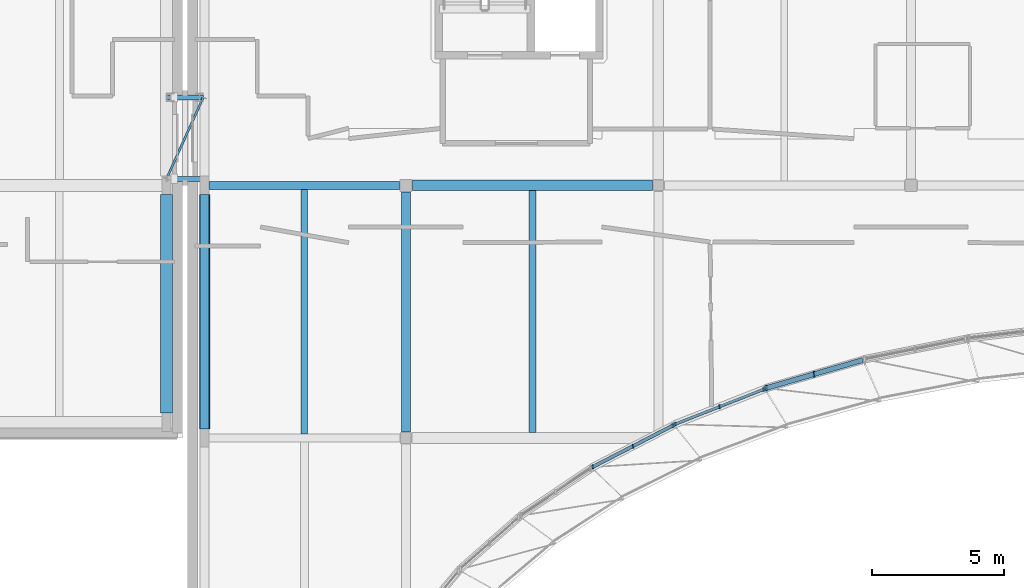
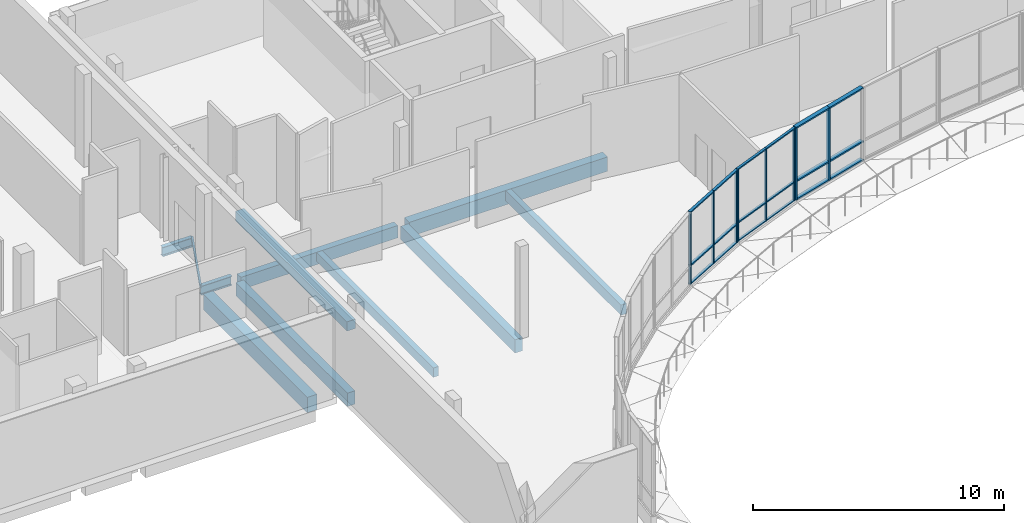
# One storey, part 10 of 41: 27 members, 10 beams, 3 elements without a shape of their own.
"""IFC4 building model written with IfcOpenShell, lengths in metres."""

from ifc_helpers import new_model, si_unit, direction, frame, origin, origin_2d, place, context, subcontext, project, spatial, rectangle, hollow_rectangle, i_section, extrude, material, material_profile, profile_set, type_object, element, aggregate, save


model = new_model("IFC4")

# Units and contexts
model_context = context("Model", 3, precision=1e-05, world=origin(), true_north=direction((0.0, 1.0)))
body_context = subcontext(model_context, "Body", "Model", "MODEL_VIEW")
ifc_project = project(units=[si_unit("LENGTHUNIT", "METRE"), si_unit("AREAUNIT", "SQUARE_METRE"), si_unit("VOLUMEUNIT", "CUBIC_METRE"), si_unit("PLANEANGLEUNIT", "RADIAN"), si_unit("MASSUNIT", "GRAM", prefix="KILO")], contexts=[model_context])

# Site, building, storey
site_placement = place(None, origin())
site = spatial("IfcSite", under=ifc_project, at=site_placement, CompositionType="ELEMENT")
building_placement = place(site_placement, origin())
building = spatial("IfcBuilding", under=site, at=building_placement, Name="Mzevani Central Library", CompositionType="ELEMENT")
storey_placement = place(building_placement, frame((0.0, 0.0, 13.800048828125)))
storey = spatial("IfcBuildingStorey", under=building, at=storey_placement, Name="L03", CompositionType="ELEMENT", Elevation=13.800048828125)

# Beams
ifc_material_1 = material(Name="Concrete C35/45", Category="concrete")
ifc_material_profile_1 = material_profile(ifc_material_1, rectangle(XDim=0.300048828125, YDim=0.60009765625, at=origin_2d()), Name="RC B300x600")
ifc_profile_set_1 = profile_set([ifc_material_profile_1], Name="Concrete C35/45")
beam_type_1 = type_object("IfcBeamType", Name="Beam RC 300x600", PredefinedType="BEAM", material=ifc_profile_set_1)
beam_1_placement = place(storey_placement, frame((46.925048828125, 100.0, -0.580078125), z_axis=(1.0, 0.0, 0.0), x_axis=(0.0, 1.0, 0.0)))
element("IfcBeam", 1, at=beam_1_placement, inside=storey, type_object=beam_type_1, Name="L03 V3 Girder B-03 (638)", PredefinedType="BEAM", context=body_context, shape_type="SweptSolid", body=[
    extrude(rectangle(XDim=0.300048828125, YDim=0.60009765625, at=origin_2d()), origin(), (0.0, 0.0, 1.0), 7.224853515625),
])
ifc_material_profile_2 = material_profile(ifc_material_1, rectangle(XDim=0.35009765625, YDim=0.64990234375, at=origin_2d()), Name="RC B350x650")
ifc_profile_set_2 = profile_set([ifc_material_profile_2], Name="Concrete C35/45")
beam_type_2 = type_object("IfcBeamType", Name="Beam RC 350x650", PredefinedType="BEAM", material=ifc_profile_set_2)
beam_2_placement = place(storey_placement, frame((46.75, 90.75, -0.60498046875), z_axis=(0.0, 1.0, 0.0), x_axis=(-1.0, 0.0, 0.0)))
element("IfcBeam", 2, at=beam_2_placement, inside=storey, type_object=beam_type_2, Name="L03 V3 Frame Beam B-05 (664)", PredefinedType="BEAM", context=body_context, shape_type="SweptSolid", body=[
    extrude(rectangle(XDim=0.35009765625, YDim=0.64990234375, at=origin_2d()), origin(), (0.0, 0.0, 1.0), 8.89990234375),
])
beam_3_placement = place(storey_placement, frame((54.39990234375, 90.625, -0.60498046875), z_axis=(0.0, 1.0, 0.0), x_axis=(-1.0, 0.0, 0.0)))
element("IfcBeam", 3, at=beam_3_placement, inside=storey, type_object=beam_type_2, Name="L03 V3 Frame Beam B-05 (668)", PredefinedType="BEAM", context=body_context, shape_type="SweptSolid", body=[
    extrude(rectangle(XDim=0.35009765625, YDim=0.64990234375, at=origin_2d()), origin(), (0.0, 0.0, 1.0), 9.125),
])
ifc_material_profile_3 = material_profile(ifc_material_1, rectangle(XDim=0.39990234375, YDim=0.699951171875, at=origin_2d()), Name="RC B400x700")
ifc_profile_set_3 = profile_set([ifc_material_profile_3], Name="Concrete C35/45")
beam_type_3 = type_object("IfcBeamType", Name="Beam RC 400x700", PredefinedType="BEAM", material=ifc_profile_set_3)
beam_4_placement = place(storey_placement, frame((54.64990234375, 100.0, -0.630126953125), z_axis=(1.0, 0.0, 0.0), x_axis=(0.0, 1.0, 0.0)))
element("IfcBeam", 4, at=beam_4_placement, inside=storey, type_object=beam_type_3, Name="L03 V3 Girder B-08 (639)", PredefinedType="BEAM", context=body_context, shape_type="SweptSolid", body=[
    extrude(rectangle(XDim=0.39990234375, YDim=0.699951171875, at=origin_2d()), origin(), (0.0, 0.0, 1.0), 9.125),
])
ifc_material_2 = material(Name="Steel S355J2", Category="steel")
ifc_material_profile_4 = material_profile(ifc_material_2, i_section(OverallWidth=0.18994140625, OverallDepth=0.449951171875, WebThickness=0.009521484375, FlangeThickness=0.0146484375, FilletRadius=0.02099609375, at=origin_2d()), Name="IPE 450")
ifc_profile_set_4 = profile_set([ifc_material_profile_4], Name="Steel S355J2")
beam_type_4 = type_object("IfcBeamType", Name="Bridge Primary Girder IPE 450", PredefinedType="BEAM", material=ifc_profile_set_4)
for number, where, z_axis, x_axis, name in (
    (5, (45.300048828125, 100.25, -0.550048828125), (1.0, 0.0, 0.0), (0.0, 1.0, 0.0), "L03 Stacks-Court Seismic Passage L03 Girder 1"),
    (6, (45.300048828125, 103.35009765625, -0.550048828125), (1.0, 0.0, 0.0), (0.0, 1.0, 0.0), "L03 Stacks-Court Seismic Passage L03 Girder 2"),
):
    element("IfcBeam", number, at=place(storey_placement, frame(where, z_axis=z_axis, x_axis=x_axis)), inside=storey, type_object=beam_type_4, Name=name, PredefinedType="BEAM", context=body_context, shape_type="SweptSolid", body=[
        extrude(i_section(OverallWidth=0.18994140625, OverallDepth=0.449951171875, WebThickness=0.009521484375, FlangeThickness=0.0146484375, FilletRadius=0.02099609375, at=origin_2d()), origin(), (0.0, 0.0, 1.0), 1.39990234375),
    ])

# Member
ifc_material_profile_5 = material_profile(ifc_material_2, hollow_rectangle(XDim=0.080078125, YDim=0.159912109375, WallThickness=0.008056640625, at=origin_2d()), Name="RHS 160x80x8.0")
ifc_profile_set_5 = profile_set([ifc_material_profile_5], Name="Steel S355J2")
member_type_1 = type_object("IfcMemberType", Name="Bridge Truss Chord RHS 160x80", PredefinedType="CHORD", material=ifc_profile_set_5)
member_1_placement = place(storey_placement, frame((45.300048828125, 100.25, -0.380126953125), z_axis=(0.411552106839, 0.911386231713, 0.0), x_axis=(-0.911386231713, 0.411552106839, 0.0)))
element("IfcMember", 7, at=member_1_placement, inside=storey, type_object=member_type_1, Name="L03 Stacks-Court Seismic Passage L03 Diaphragm Chord", PredefinedType="CHORD", context=body_context, shape_type="SweptSolid", body=[
    extrude(hollow_rectangle(XDim=0.080078125, YDim=0.159912109375, WallThickness=0.008056640625, at=origin_2d()), origin(), (0.0, 0.0, 1.0), 3.401611328125),
])

# Curtain wall, members
ifc_material_3 = material(Name="Thermally broken aluminium and Low-E triple glazing", Category="aluminium")
curtain_wall_type_1 = type_object("IfcCurtainWallType", Name="Elliptical Court Unitised Curtain Wall", PredefinedType="NOTDEFINED", material=ifc_material_3)
curtain_wall_1_placement = place(storey_placement, origin())
curtain_wall_1 = element("IfcCurtainWall", 8, at=curtain_wall_1_placement, inside=storey, type_object=curtain_wall_type_1, Name="L03 Elliptical Court Curtain Wall 17", PredefinedType="NOTDEFINED")
ifc_material_4 = material(Name="Thermally broken aluminium AW-6060", Category="aluminium")
ifc_material_profile_6 = material_profile(ifc_material_4, rectangle(XDim=0.06005859375, YDim=0.139892578125, at=origin_2d()), Name="ALU M60x140")
ifc_profile_set_6 = profile_set([ifc_material_profile_6], Name="Thermally broken aluminium AW-6060")
member_type_2 = type_object("IfcMemberType", Name="CW Mullion 60x140", PredefinedType="MULLION", material=ifc_profile_set_6)
member_2_placement = place(storey_placement, frame((67.988525390625, 92.245849609375, 0.719970703125), z_axis=(0.0, 0.0, 1.0), x_axis=(1.0, 0.0, 0.0)))
member_2 = element("IfcMember", 9, at=member_2_placement, type_object=member_type_2, Name="L03 Elliptical Court Curtain Wall 17 Mullion 1", PredefinedType="MULLION", context=body_context, shape_type="SweptSolid", body=[
    extrude(rectangle(XDim=0.06005859375, YDim=0.139892578125, at=origin_2d()), origin(), (0.0, 0.0, 1.0), 3.5),
])
member_3_placement = place(storey_placement, frame((66.316650390625, 91.587890625, 0.719970703125), z_axis=(0.0, 0.0, 1.0), x_axis=(1.0, 0.0, 0.0)))
member_3 = element("IfcMember", 10, at=member_3_placement, type_object=member_type_2, Name="L03 Elliptical Court Curtain Wall 17 Mullion 2", PredefinedType="MULLION", context=body_context, shape_type="SweptSolid", body=[
    extrude(rectangle(XDim=0.06005859375, YDim=0.139892578125, at=origin_2d()), origin(), (0.0, 0.0, 1.0), 3.5),
])
member_4_placement = place(storey_placement, frame((64.64453125, 90.929931640625, 0.719970703125), z_axis=(0.0, 0.0, 1.0), x_axis=(1.0, 0.0, 0.0)))
member_4 = element("IfcMember", 11, at=member_4_placement, type_object=member_type_2, Name="L03 Elliptical Court Curtain Wall 17 Mullion 3", PredefinedType="MULLION", context=body_context, shape_type="SweptSolid", body=[
    extrude(rectangle(XDim=0.06005859375, YDim=0.139892578125, at=origin_2d()), origin(), (0.0, 0.0, 1.0), 3.5),
])

curtain_wall_2_placement = place(storey_placement, origin())
curtain_wall_2 = element("IfcCurtainWall", 12, at=curtain_wall_2_placement, inside=storey, type_object=curtain_wall_type_1, Name="L03 Elliptical Court Curtain Wall 18", PredefinedType="NOTDEFINED")
ifc_material_profile_7 = material_profile(ifc_material_4, rectangle(XDim=0.06005859375, YDim=0.159912109375, at=origin_2d()), Name="ALU M60x160")
ifc_profile_set_7 = profile_set([ifc_material_profile_7], Name="Thermally broken aluminium AW-6060")
member_type_3 = type_object("IfcMemberType", Name="CW Mullion 60x160", PredefinedType="MULLION", material=ifc_profile_set_7)
member_5_placement = place(storey_placement, frame((64.5361328125, 90.865966796875, 0.719970703125), z_axis=(0.0, 0.0, 1.0), x_axis=(1.0, 0.0, 0.0)))
member_5 = element("IfcMember", 13, at=member_5_placement, type_object=member_type_3, Name="L03 Elliptical Court Curtain Wall 18 Mullion 1", PredefinedType="MULLION", context=body_context, shape_type="SweptSolid", body=[
    extrude(rectangle(XDim=0.06005859375, YDim=0.159912109375, at=origin_2d()), origin(), (0.0, 0.0, 1.0), 3.5),
])
member_6_placement = place(storey_placement, frame((63.026611328125, 90.086181640625, 0.719970703125), z_axis=(0.0, 0.0, 1.0), x_axis=(1.0, 0.0, 0.0)))
member_6 = element("IfcMember", 14, at=member_6_placement, type_object=member_type_3, Name="L03 Elliptical Court Curtain Wall 18 Mullion 2", PredefinedType="MULLION", context=body_context, shape_type="SweptSolid", body=[
    extrude(rectangle(XDim=0.06005859375, YDim=0.159912109375, at=origin_2d()), origin(), (0.0, 0.0, 1.0), 3.5),
])
member_7_placement = place(storey_placement, frame((61.517333984375, 89.306396484375, 0.719970703125), z_axis=(0.0, 0.0, 1.0), x_axis=(1.0, 0.0, 0.0)))
member_7 = element("IfcMember", 15, at=member_7_placement, type_object=member_type_3, Name="L03 Elliptical Court Curtain Wall 18 Mullion 3", PredefinedType="MULLION", context=body_context, shape_type="SweptSolid", body=[
    extrude(rectangle(XDim=0.06005859375, YDim=0.159912109375, at=origin_2d()), origin(), (0.0, 0.0, 1.0), 3.5),
])

curtain_wall_type_2 = type_object("IfcCurtainWallType", Name="Reading Hall Northlight Curtain Wall", PredefinedType="NOTDEFINED", material=ifc_material_3)
curtain_wall_3_placement = place(storey_placement, origin())
curtain_wall_3 = element("IfcCurtainWall", 16, at=curtain_wall_3_placement, inside=storey, type_object=curtain_wall_type_2, Name="L03 Elliptical Court Curtain Wall 16", PredefinedType="NOTDEFINED")
ifc_material_profile_8 = material_profile(ifc_material_4, rectangle(XDim=0.070068359375, YDim=0.219970703125, at=origin_2d()), Name="ALU M70x220")
ifc_profile_set_8 = profile_set([ifc_material_profile_8], Name="Thermally broken aluminium AW-6060")
member_type_4 = type_object("IfcMemberType", Name="CW Mullion 70x220", PredefinedType="MULLION", material=ifc_profile_set_8)
member_8_placement = place(storey_placement, frame((69.912353515625, 92.82568359375, 0.719970703125), z_axis=(0.0, 0.0, 1.0), x_axis=(1.0, 0.0, 0.0)))
member_8 = element("IfcMember", 17, at=member_8_placement, type_object=member_type_4, Name="L03 Elliptical Court Curtain Wall 16 Mullion 2", PredefinedType="MULLION", context=body_context, shape_type="SweptSolid", body=[
    extrude(rectangle(XDim=0.070068359375, YDim=0.219970703125, at=origin_2d()), origin(), (0.0, 0.0, 1.0), 3.5),
])
member_9_placement = place(storey_placement, frame((68.10693359375, 92.30126953125, 0.719970703125), z_axis=(0.0, 0.0, 1.0), x_axis=(1.0, 0.0, 0.0)))
member_9 = element("IfcMember", 18, at=member_9_placement, type_object=member_type_4, Name="L03 Elliptical Court Curtain Wall 16 Mullion 3", PredefinedType="MULLION", context=body_context, shape_type="SweptSolid", body=[
    extrude(rectangle(XDim=0.070068359375, YDim=0.219970703125, at=origin_2d()), origin(), (0.0, 0.0, 1.0), 3.5),
])

# Member
ifc_material_profile_9 = material_profile(ifc_material_4, rectangle(XDim=0.110107421875, YDim=0.06005859375, at=origin_2d()), Name="ALU T60x110")
ifc_profile_set_9 = profile_set([ifc_material_profile_9], Name="Thermally broken aluminium AW-6060")
member_type_5 = type_object("IfcMemberType", Name="CW Transom 60x110", PredefinedType="USERDEFINED", material=ifc_profile_set_9)
member_10_placement = place(storey_placement, frame((68.034912109375, 92.26416015625, 0.719970703125), z_axis=(-0.930523114964, -0.366233166873, 0.0), x_axis=(0.366233166873, -0.930523114964, 0.0)))
member_10 = element("IfcMember", 19, at=member_10_placement, type_object=member_type_5, Name="L03 Elliptical Court Curtain Wall 17 Transom 1", ObjectType="TRANSOM", PredefinedType="USERDEFINED", context=body_context, shape_type="SweptSolid", body=[
    extrude(rectangle(XDim=0.110107421875, YDim=0.06005859375, at=origin_2d()), origin(), (0.0, 0.0, 1.0), 1.846435546875),
])

member_11_placement = place(storey_placement, frame((68.034912109375, 92.26416015625, 1.619873046875), z_axis=(-0.930523114964, -0.366233166873, 0.0), x_axis=(0.366233166873, -0.930523114964, 0.0)))
member_11 = element("IfcMember", 20, at=member_11_placement, type_object=member_type_5, Name="L03 Elliptical Court Curtain Wall 17 Transom 2", ObjectType="TRANSOM", PredefinedType="USERDEFINED", context=body_context, shape_type="SweptSolid", body=[
    extrude(rectangle(XDim=0.110107421875, YDim=0.06005859375, at=origin_2d()), origin(), (0.0, 0.0, 1.0), 1.846435546875),
])

member_12_placement = place(storey_placement, frame((68.034912109375, 92.26416015625, 4.219970703125), z_axis=(-0.930523114964, -0.366233166873, 0.0), x_axis=(0.366233166873, -0.930523114964, 0.0)))
member_12 = element("IfcMember", 21, at=member_12_placement, type_object=member_type_5, Name="L03 Elliptical Court Curtain Wall 17 Transom 3", ObjectType="TRANSOM", PredefinedType="USERDEFINED", context=body_context, shape_type="SweptSolid", body=[
    extrude(rectangle(XDim=0.110107421875, YDim=0.06005859375, at=origin_2d()), origin(), (0.0, 0.0, 1.0), 1.846435546875),
])

member_13_placement = place(storey_placement, frame((66.316650390625, 91.587890625, 0.719970703125), z_axis=(-0.930540845143, -0.366188114937, 0.0), x_axis=(0.366188114937, -0.930540845143, 0.0)))
member_13 = element("IfcMember", 22, at=member_13_placement, type_object=member_type_5, Name="L03 Elliptical Court Curtain Wall 17 Transom 4", ObjectType="TRANSOM", PredefinedType="USERDEFINED", context=body_context, shape_type="SweptSolid", body=[
    extrude(rectangle(XDim=0.110107421875, YDim=0.06005859375, at=origin_2d()), origin(), (0.0, 0.0, 1.0), 1.8466796875),
])

member_14_placement = place(storey_placement, frame((66.316650390625, 91.587890625, 1.619873046875), z_axis=(-0.930540845143, -0.366188114937, 0.0), x_axis=(0.366188114937, -0.930540845143, 0.0)))
member_14 = element("IfcMember", 23, at=member_14_placement, type_object=member_type_5, Name="L03 Elliptical Court Curtain Wall 17 Transom 5", ObjectType="TRANSOM", PredefinedType="USERDEFINED", context=body_context, shape_type="SweptSolid", body=[
    extrude(rectangle(XDim=0.110107421875, YDim=0.06005859375, at=origin_2d()), origin(), (0.0, 0.0, 1.0), 1.8466796875),
])

member_15_placement = place(storey_placement, frame((66.316650390625, 91.587890625, 4.219970703125), z_axis=(-0.930540845143, -0.366188114937, 0.0), x_axis=(0.366188114937, -0.930540845143, 0.0)))
member_15 = element("IfcMember", 24, at=member_15_placement, type_object=member_type_5, Name="L03 Elliptical Court Curtain Wall 17 Transom 6", ObjectType="TRANSOM", PredefinedType="USERDEFINED", context=body_context, shape_type="SweptSolid", body=[
    extrude(rectangle(XDim=0.110107421875, YDim=0.06005859375, at=origin_2d()), origin(), (0.0, 0.0, 1.0), 1.8466796875),
])

aggregate(curtain_wall_1, [member_2, member_3, member_4, member_10, member_11, member_12, member_13, member_14, member_15])

ifc_material_profile_10 = material_profile(ifc_material_4, rectangle(XDim=0.1298828125, YDim=0.06005859375, at=origin_2d()), Name="ALU T60x130")
ifc_profile_set_10 = profile_set([ifc_material_profile_10], Name="Thermally broken aluminium AW-6060")
member_type_6 = type_object("IfcMemberType", Name="CW Transom 60x130", PredefinedType="USERDEFINED", material=ifc_profile_set_10)
member_16_placement = place(storey_placement, frame((64.58056640625, 90.888916015625, 0.719970703125), z_axis=(-0.888459109932, -0.458955782161, 0.0), x_axis=(0.458955782161, -0.888459109932, 0.0)))
member_16 = element("IfcMember", 25, at=member_16_placement, type_object=member_type_6, Name="L03 Elliptical Court Curtain Wall 18 Transom 1", ObjectType="TRANSOM", PredefinedType="USERDEFINED", context=body_context, shape_type="SweptSolid", body=[
    extrude(rectangle(XDim=0.1298828125, YDim=0.06005859375, at=origin_2d()), origin(), (0.0, 0.0, 1.0), 1.7490234375),
])

member_17_placement = place(storey_placement, frame((64.58056640625, 90.888916015625, 1.619873046875), z_axis=(-0.888459109932, -0.458955782161, 0.0), x_axis=(0.458955782161, -0.888459109932, 0.0)))
member_17 = element("IfcMember", 26, at=member_17_placement, type_object=member_type_6, Name="L03 Elliptical Court Curtain Wall 18 Transom 2", ObjectType="TRANSOM", PredefinedType="USERDEFINED", context=body_context, shape_type="SweptSolid", body=[
    extrude(rectangle(XDim=0.1298828125, YDim=0.06005859375, at=origin_2d()), origin(), (0.0, 0.0, 1.0), 1.7490234375),
])

member_18_placement = place(storey_placement, frame((64.58056640625, 90.888916015625, 4.219970703125), z_axis=(-0.888459109932, -0.458955782161, 0.0), x_axis=(0.458955782161, -0.888459109932, 0.0)))
member_18 = element("IfcMember", 27, at=member_18_placement, type_object=member_type_6, Name="L03 Elliptical Court Curtain Wall 18 Transom 3", ObjectType="TRANSOM", PredefinedType="USERDEFINED", context=body_context, shape_type="SweptSolid", body=[
    extrude(rectangle(XDim=0.1298828125, YDim=0.06005859375, at=origin_2d()), origin(), (0.0, 0.0, 1.0), 1.7490234375),
])

member_19_placement = place(storey_placement, frame((63.026611328125, 90.086181640625, 0.719970703125), z_axis=(-0.8884297022, -0.459012705977, 0.0), x_axis=(0.459012705977, -0.8884297022, 0.0)))
member_19 = element("IfcMember", 28, at=member_19_placement, type_object=member_type_6, Name="L03 Elliptical Court Curtain Wall 18 Transom 4", ObjectType="TRANSOM", PredefinedType="USERDEFINED", context=body_context, shape_type="SweptSolid", body=[
    extrude(rectangle(XDim=0.1298828125, YDim=0.06005859375, at=origin_2d()), origin(), (0.0, 0.0, 1.0), 1.748779296875),
])

member_20_placement = place(storey_placement, frame((63.026611328125, 90.086181640625, 1.619873046875), z_axis=(-0.8884297022, -0.459012705977, 0.0), x_axis=(0.459012705977, -0.8884297022, 0.0)))
member_20 = element("IfcMember", 29, at=member_20_placement, type_object=member_type_6, Name="L03 Elliptical Court Curtain Wall 18 Transom 5", ObjectType="TRANSOM", PredefinedType="USERDEFINED", context=body_context, shape_type="SweptSolid", body=[
    extrude(rectangle(XDim=0.1298828125, YDim=0.06005859375, at=origin_2d()), origin(), (0.0, 0.0, 1.0), 1.748779296875),
])

member_21_placement = place(storey_placement, frame((63.026611328125, 90.086181640625, 4.219970703125), z_axis=(-0.8884297022, -0.459012705977, 0.0), x_axis=(0.459012705977, -0.8884297022, 0.0)))
member_21 = element("IfcMember", 30, at=member_21_placement, type_object=member_type_6, Name="L03 Elliptical Court Curtain Wall 18 Transom 6", ObjectType="TRANSOM", PredefinedType="USERDEFINED", context=body_context, shape_type="SweptSolid", body=[
    extrude(rectangle(XDim=0.1298828125, YDim=0.06005859375, at=origin_2d()), origin(), (0.0, 0.0, 1.0), 1.748779296875),
])

aggregate(curtain_wall_2, [member_5, member_6, member_7, member_16, member_17, member_18, member_19, member_20, member_21])

ifc_material_profile_11 = material_profile(ifc_material_4, rectangle(XDim=0.18994140625, YDim=0.070068359375, at=origin_2d()), Name="ALU T70x190")
ifc_profile_set_11 = profile_set([ifc_material_profile_11], Name="Thermally broken aluminium AW-6060")
member_type_7 = type_object("IfcMemberType", Name="CW Transom 70x190", PredefinedType="USERDEFINED", material=ifc_profile_set_11)
member_22_placement = place(storey_placement, frame((71.76611328125, 93.3642578125, 0.719970703125), z_axis=(-0.960292683512, -0.278994555489, 0.0), x_axis=(0.278994555489, -0.960292683512, 0.0)))
member_22 = element("IfcMember", 31, at=member_22_placement, type_object=member_type_7, Name="L03 Elliptical Court Curtain Wall 16 Transom 1", ObjectType="TRANSOM", PredefinedType="USERDEFINED", context=body_context, shape_type="SweptSolid", body=[
    extrude(rectangle(XDim=0.18994140625, YDim=0.070068359375, at=origin_2d()), origin(), (0.0, 0.0, 1.0), 1.930419921875),
])

member_23_placement = place(storey_placement, frame((71.76611328125, 93.3642578125, 1.619873046875), z_axis=(-0.960292683512, -0.278994555489, 0.0), x_axis=(0.278994555489, -0.960292683512, 0.0)))
member_23 = element("IfcMember", 32, at=member_23_placement, type_object=member_type_7, Name="L03 Elliptical Court Curtain Wall 16 Transom 2", ObjectType="TRANSOM", PredefinedType="USERDEFINED", context=body_context, shape_type="SweptSolid", body=[
    extrude(rectangle(XDim=0.18994140625, YDim=0.070068359375, at=origin_2d()), origin(), (0.0, 0.0, 1.0), 1.930419921875),
])

member_24_placement = place(storey_placement, frame((71.76611328125, 93.3642578125, 4.219970703125), z_axis=(-0.960292683512, -0.278994555489, 0.0), x_axis=(0.278994555489, -0.960292683512, 0.0)))
member_24 = element("IfcMember", 33, at=member_24_placement, type_object=member_type_7, Name="L03 Elliptical Court Curtain Wall 16 Transom 3", ObjectType="TRANSOM", PredefinedType="USERDEFINED", context=body_context, shape_type="SweptSolid", body=[
    extrude(rectangle(XDim=0.18994140625, YDim=0.070068359375, at=origin_2d()), origin(), (0.0, 0.0, 1.0), 1.930419921875),
])

member_25_placement = place(storey_placement, frame((69.912353515625, 92.82568359375, 0.719970703125), z_axis=(-0.960316723088, -0.278911798526, 0.0), x_axis=(0.278911798526, -0.960316723088, 0.0)))
member_25 = element("IfcMember", 34, at=member_25_placement, type_object=member_type_7, Name="L03 Elliptical Court Curtain Wall 16 Transom 4", ObjectType="TRANSOM", PredefinedType="USERDEFINED", context=body_context, shape_type="SweptSolid", body=[
    extrude(rectangle(XDim=0.18994140625, YDim=0.070068359375, at=origin_2d()), origin(), (0.0, 0.0, 1.0), 1.93017578125),
])

member_26_placement = place(storey_placement, frame((69.912353515625, 92.82568359375, 1.619873046875), z_axis=(-0.960316723088, -0.278911798526, 0.0), x_axis=(0.278911798526, -0.960316723088, 0.0)))
member_26 = element("IfcMember", 35, at=member_26_placement, type_object=member_type_7, Name="L03 Elliptical Court Curtain Wall 16 Transom 5", ObjectType="TRANSOM", PredefinedType="USERDEFINED", context=body_context, shape_type="SweptSolid", body=[
    extrude(rectangle(XDim=0.18994140625, YDim=0.070068359375, at=origin_2d()), origin(), (0.0, 0.0, 1.0), 1.93017578125),
])

member_27_placement = place(storey_placement, frame((69.912353515625, 92.82568359375, 4.219970703125), z_axis=(-0.960316723088, -0.278911798526, 0.0), x_axis=(0.278911798526, -0.960316723088, 0.0)))
member_27 = element("IfcMember", 36, at=member_27_placement, type_object=member_type_7, Name="L03 Elliptical Court Curtain Wall 16 Transom 6", ObjectType="TRANSOM", PredefinedType="USERDEFINED", context=body_context, shape_type="SweptSolid", body=[
    extrude(rectangle(XDim=0.18994140625, YDim=0.070068359375, at=origin_2d()), origin(), (0.0, 0.0, 1.0), 1.93017578125),
])

aggregate(curtain_wall_3, [member_8, member_9, member_22, member_23, member_24, member_25, member_26, member_27])

# Beams
ifc_material_profile_12 = material_profile(ifc_material_1, rectangle(XDim=0.25, YDim=0.449951171875, at=origin_2d()), Name="RC J250x450")
ifc_profile_set_12 = profile_set([ifc_material_profile_12], Name="Concrete C35/45")
beam_type_5 = type_object("IfcBeamType", Name="Floor Joist RC 250x450", PredefinedType="JOIST", material=ifc_profile_set_12)
beam_5_placement = place(storey_placement, frame((50.53759765625, 90.550048828125, -0.505126953125), z_axis=(0.0, 1.0, 0.0), x_axis=(-1.0, 0.0, 0.0)))
element("IfcBeam", 37, at=beam_5_placement, inside=storey, type_object=beam_type_5, Name="L03 V3 Floor Joist BJ-01 (693)", PredefinedType="JOIST", context=body_context, shape_type="SweptSolid", body=[
    extrude(rectangle(XDim=0.25, YDim=0.449951171875, at=origin_2d()), origin(), (0.0, 0.0, 1.0), 9.300048828125),
])
ifc_material_profile_13 = material_profile(ifc_material_1, rectangle(XDim=0.25, YDim=0.5, at=origin_2d()), Name="RC J250x500")
ifc_profile_set_13 = profile_set([ifc_material_profile_13], Name="Concrete C35/45")
beam_type_6 = type_object("IfcBeamType", Name="Floor Joist RC 250x500", PredefinedType="JOIST", material=ifc_profile_set_13)
beam_6_placement = place(storey_placement, frame((59.21240234375, 90.60009765625, -0.530029296875), z_axis=(0.0, 1.0, 0.0), x_axis=(-1.0, 0.0, 0.0)))
element("IfcBeam", 38, at=beam_6_placement, inside=storey, type_object=beam_type_6, Name="L03 V3 Floor Joist BJ-02 (694)", PredefinedType="JOIST", context=body_context, shape_type="SweptSolid", body=[
    extrude(rectangle(XDim=0.25, YDim=0.5, at=origin_2d()), origin(), (0.0, 0.0, 1.0), 9.199951171875),
])
ifc_material_5 = material(Name="Precast concrete C40/50", Category="concrete")
ifc_material_profile_14 = material_profile(ifc_material_5, rectangle(XDim=0.39990234375, YDim=0.449951171875, at=origin_2d()), Name="PC LN400x450")
ifc_profile_set_14 = profile_set([ifc_material_profile_14], Name="Precast concrete C40/50")
beam_type_7 = type_object("IfcBeamType", Name="Precast Portal Lintel 400x450", PredefinedType="LINTEL", material=ifc_profile_set_14)
beam_7_placement = place(storey_placement, frame((46.75, 90.75, 2.974853515625), z_axis=(0.0, 1.0, 0.0), x_axis=(-1.0, 0.0, 0.0)))
element("IfcBeam", 39, at=beam_7_placement, inside=storey, type_object=beam_type_7, Name="L03 V3 Precast Portal Lintel (60)", PredefinedType="LINTEL", context=body_context, shape_type="SweptSolid", body=[
    extrude(rectangle(XDim=0.39990234375, YDim=0.449951171875, at=origin_2d()), origin(), (0.0, 0.0, 1.0), 8.89990234375),
])
ifc_material_6 = material(Name="Concrete C40/50", Category="concrete")
ifc_material_profile_15 = material_profile(ifc_material_6, rectangle(XDim=0.449951171875, YDim=0.75, at=origin_2d()), Name="RC B450x750")
ifc_profile_set_15 = profile_set([ifc_material_profile_15], Name="Concrete C40/50")
beam_type_8 = type_object("IfcBeamType", Name="Stack Girder RC 450x750", PredefinedType="BEAM", material=ifc_profile_set_15)
beam_8_placement = place(storey_placement, frame((45.300048828125, 91.35009765625, -0.695068359375), z_axis=(0.0, 1.0, 0.0), x_axis=(-1.0, 0.0, 0.0)))
element("IfcBeam", 40, at=beam_8_placement, inside=storey, type_object=beam_type_8, Name="L03 V2 Frame Beam BG-02 (365)", PredefinedType="BEAM", context=body_context, shape_type="SweptSolid", body=[
    extrude(rectangle(XDim=0.449951171875, YDim=0.75, at=origin_2d()), origin(), (0.0, 0.0, 1.0), 8.2998046875),
])

save(model, "model.ifc")
